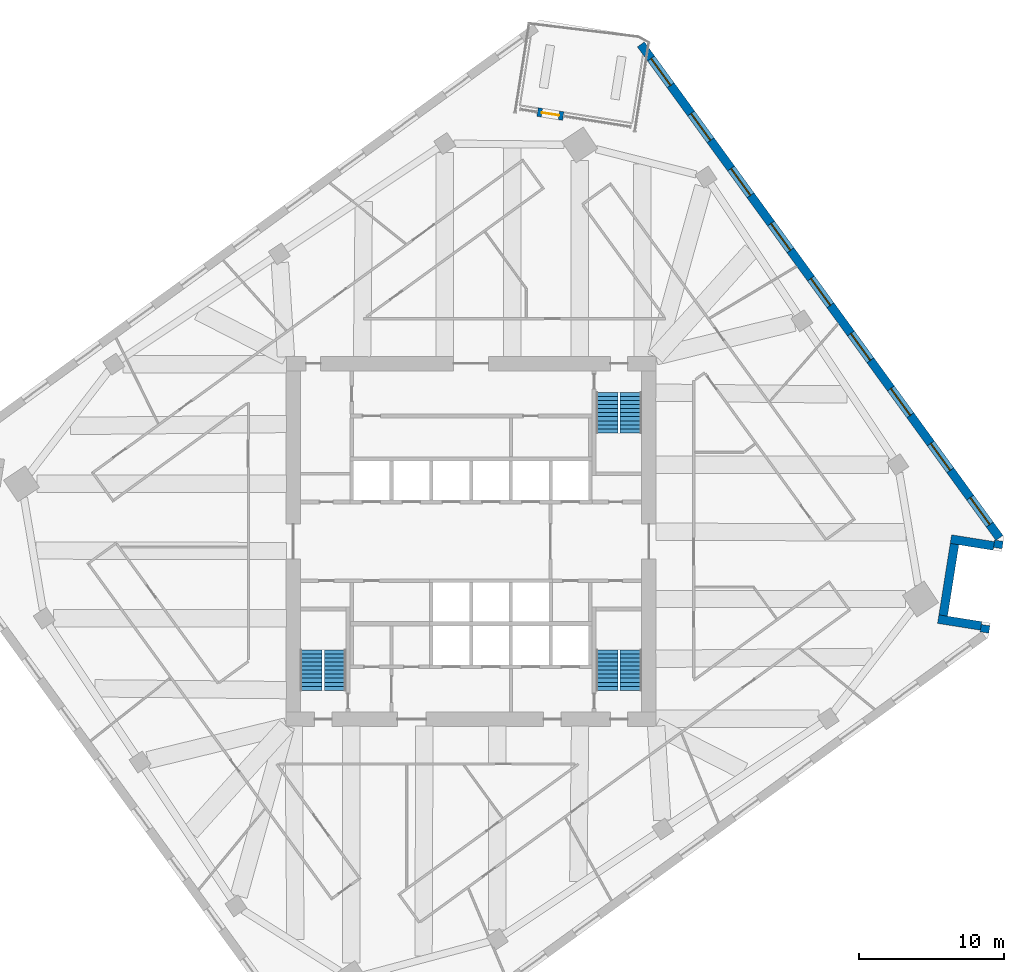
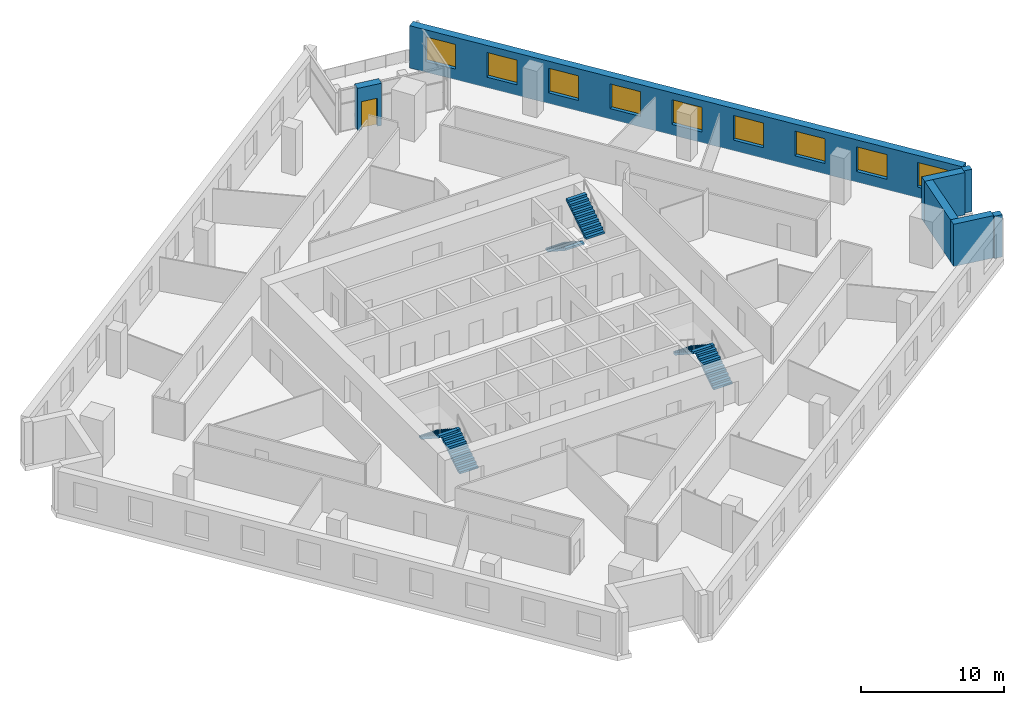
# One storey, part 9 of 11: 9 windows, 7 walls, 6 stair flights, 1 door, 10 openings, 3 elements without a shape of their own.
"""IFC4 building model written with IfcOpenShell, lengths in metres."""

from ifc_helpers import new_model, si_unit, direction, frame, frame_2d, origin, place, context, subcontext, project, spatial, polyline, rectangle, outline, extrude, material, layer, layer_set, type_object, element, fill, aggregate, save


model = new_model("IFC4")

# Units and contexts
model_context = context("Model", 3, precision=1e-05, world=origin(), true_north=direction((0.0, 1.0)))
body_context = subcontext(model_context, "Body", "Model", "MODEL_VIEW")
ifc_project = project(units=[si_unit("LENGTHUNIT", "METRE"), si_unit("AREAUNIT", "SQUARE_METRE"), si_unit("VOLUMEUNIT", "CUBIC_METRE"), si_unit("PLANEANGLEUNIT", "RADIAN"), si_unit("MASSUNIT", "GRAM", prefix="KILO")], contexts=[model_context])

# Site, building, storey
site_placement = place(None, origin())
site = spatial("IfcSite", under=ifc_project, at=site_placement, CompositionType="ELEMENT")
building_placement = place(site_placement, origin())
building = spatial("IfcBuilding", under=site, at=building_placement, Name="Dilmun Exchange Tower", CompositionType="ELEMENT")
storey_placement = place(building_placement, frame((0.0, 0.0, 167.699951171875)))
storey = spatial("IfcBuildingStorey", under=building, at=storey_placement, Name="L39", CompositionType="ELEMENT", Elevation=167.699951171875)

# Walls
ifc_material_1 = material(Name="Precast concrete C50/60", Category="concrete")
ifc_layer = layer(ifc_material_1, 0.60009765625)
ifc_layer_set = layer_set([ifc_layer], Name="Precast concrete C50/60")
wall_type = type_object("IfcWallType", Name="Precast stone-clad wall 600", PredefinedType="STANDARD", material=ifc_layer_set)
wall_1_placement = place(storey_placement, frame((35.497314453125, -6.296142578125, 0.0), z_axis=(0.0, 0.0, 1.0), x_axis=(0.156649231492, 0.987654300994, 0.0)))
element("IfcWall", 1, at=wall_1_placement, inside=storey, type_object=wall_type, Name="Facade wall L39-16", PredefinedType="STANDARD", context=body_context, shape_type="SweptSolid", body=[
    extrude(rectangle(XDim=0.51123046875, YDim=0.60009765625, at=frame_2d((0.255615234375, 0.0))), origin(), (0.0, 0.0, 1.0), 3.60009765625),
])
wall_2_placement = place(storey_placement, frame((35.265380859375, -5.843017578125, 0.0), z_axis=(0.0, 0.0, 1.0), x_axis=(-0.987692262674, 0.156409699997, 0.0)))
element("IfcWall", 2, at=wall_2_placement, inside=storey, type_object=wall_type, Name="Facade wall L39-17", PredefinedType="STANDARD", context=body_context, shape_type="SweptSolid", body=[
    extrude(rectangle(XDim=3.0, YDim=0.60009765625, at=frame_2d((1.5, 0.0))), origin(), (0.0, 0.0, 1.0), 3.60009765625),
])
wall_3_placement = place(storey_placement, frame((32.6455078125, -5.12451171875, 0.0), z_axis=(0.0, 0.0, 1.0), x_axis=(0.156443969736, 0.987686835152, 0.0)))
element("IfcWall", 3, at=wall_3_placement, inside=storey, type_object=wall_type, Name="Facade wall L39-18", PredefinedType="STANDARD", context=body_context, shape_type="SweptSolid", body=[
    extrude(rectangle(XDim=5.0, YDim=0.60009765625, at=frame_2d((2.5, 0.0))), origin(), (0.0, 0.0, 1.0), 3.60009765625),
])
wall_4_placement = place(storey_placement, frame((33.178466796875, 0.1572265625, 0.0), z_axis=(0.0, 0.0, 1.0), x_axis=(0.987690271588, -0.156422272742, 0.0)))
element("IfcWall", 4, at=wall_4_placement, inside=storey, type_object=wall_type, Name="Facade wall L39-19", PredefinedType="STANDARD", context=body_context, shape_type="SweptSolid", body=[
    extrude(rectangle(XDim=2.999755859375, YDim=0.60009765625, at=frame_2d((1.5, 0.0))), origin(), (0.0, 0.0, 1.0), 3.60009765625),
])
wall_5_placement = place(storey_placement, frame((36.422119140625, -0.457763671875, 0.0), z_axis=(0.0, 0.0, 1.0), x_axis=(0.156575375554, 0.987666012258, 0.0)))
element("IfcWall", 5, at=wall_5_placement, inside=storey, type_object=wall_type, Name="Facade wall L39-20", PredefinedType="STANDARD", context=body_context, shape_type="SweptSolid", body=[
    extrude(rectangle(XDim=0.511474609375, YDim=0.60009765625, at=frame_2d((0.255859375, 0.0))), origin(), (0.0, 0.0, 1.0), 3.60009765625),
])

# Wall, openings, windows
wall_6_placement = place(storey_placement, frame((36.533447265625, 0.244873046875, 0.0), z_axis=(0.0, 0.0, 1.0), x_axis=(-0.58778579343, 0.809016601215, 0.0)))
wall_6 = element("IfcWall", 6, at=wall_6_placement, inside=storey, type_object=wall_type, Name="Facade wall L39-21", PredefinedType="STANDARD", context=body_context, shape_type="SweptSolid", body=[
    extrude(rectangle(XDim=42.17578125, YDim=0.60009765625, at=frame_2d((21.087890625, 0.0))), origin(), (0.0, 0.0, 1.0), 3.60009765625),
])
opening_1_placement = place(wall_6_placement, frame((1.137939453125, 0.0, 0.89990234375)))
opening_1 = element("IfcOpeningElement", 7, at=opening_1_placement, cuts=wall_6, Name="Opening W230-210", PredefinedType="OPENING", context=body_context, shape_type="SweptSolid", body=[
    extrude(rectangle(XDim=2.300048828125, YDim=2.10009765625, at=frame_2d((1.14990234375, 1.050048828125))), frame((0.0, 0.31005859375, 0.0), z_axis=(0.0, -1.0, 0.0), x_axis=(1.0, 0.0, 0.0)), (0.0, 0.0, 1.0), 0.6201171875),
])
opening_2_placement = place(wall_6_placement, frame((5.775634765625, 0.0, 0.89990234375)))
opening_2 = element("IfcOpeningElement", 8, at=opening_2_placement, cuts=wall_6, Name="Opening W230-210", PredefinedType="OPENING", context=body_context, shape_type="SweptSolid", body=[
    extrude(rectangle(XDim=2.300048828125, YDim=2.10009765625, at=frame_2d((1.14990234375, 1.050048828125))), frame((0.0, 0.31005859375, 0.0), z_axis=(0.0, -1.0, 0.0), x_axis=(1.0, 0.0, 0.0)), (0.0, 0.0, 1.0), 0.6201171875),
])
opening_3_placement = place(wall_6_placement, frame((10.4755859375, 0.0, 0.89990234375)))
opening_3 = element("IfcOpeningElement", 9, at=opening_3_placement, cuts=wall_6, Name="Opening W230-210", PredefinedType="OPENING", context=body_context, shape_type="SweptSolid", body=[
    extrude(rectangle(XDim=2.300048828125, YDim=2.10009765625, at=frame_2d((1.14990234375, 1.050048828125))), frame((0.0, 0.31005859375, 0.0), z_axis=(0.0, -1.0, 0.0), x_axis=(1.0, 0.0, 0.0)), (0.0, 0.0, 1.0), 0.6201171875),
])
opening_4_placement = place(wall_6_placement, frame((15.17578125, 0.0, 0.89990234375)))
opening_4 = element("IfcOpeningElement", 10, at=opening_4_placement, cuts=wall_6, Name="Opening W230-210", PredefinedType="OPENING", context=body_context, shape_type="SweptSolid", body=[
    extrude(rectangle(XDim=2.300048828125, YDim=2.10009765625, at=frame_2d((1.14990234375, 1.050048828125))), frame((0.0, 0.31005859375, 0.0), z_axis=(0.0, -1.0, 0.0), x_axis=(1.0, 0.0, 0.0)), (0.0, 0.0, 1.0), 0.6201171875),
])
opening_5_placement = place(wall_6_placement, frame((19.875732421875, 0.0, 0.89990234375)))
opening_5 = element("IfcOpeningElement", 11, at=opening_5_placement, cuts=wall_6, Name="Opening W230-210", PredefinedType="OPENING", context=body_context, shape_type="SweptSolid", body=[
    extrude(rectangle(XDim=2.300048828125, YDim=2.10009765625, at=frame_2d((1.14990234375, 1.050048828125))), frame((0.0, 0.31005859375, 0.0), z_axis=(0.0, -1.0, 0.0), x_axis=(1.0, 0.0, 0.0)), (0.0, 0.0, 1.0), 0.6201171875),
])
opening_6_placement = place(wall_6_placement, frame((24.57568359375, 0.0, 0.89990234375)))
opening_6 = element("IfcOpeningElement", 12, at=opening_6_placement, cuts=wall_6, Name="Opening W230-210", PredefinedType="OPENING", context=body_context, shape_type="SweptSolid", body=[
    extrude(rectangle(XDim=2.300048828125, YDim=2.10009765625, at=frame_2d((1.14990234375, 1.050048828125))), frame((0.0, 0.31005859375, 0.0), z_axis=(0.0, -1.0, 0.0), x_axis=(1.0, 0.0, 0.0)), (0.0, 0.0, 1.0), 0.6201171875),
])
opening_7_placement = place(wall_6_placement, frame((29.275634765625, 0.0, 0.89990234375)))
opening_7 = element("IfcOpeningElement", 13, at=opening_7_placement, cuts=wall_6, Name="Opening W230-210", PredefinedType="OPENING", context=body_context, shape_type="SweptSolid", body=[
    extrude(rectangle(XDim=2.300048828125, YDim=2.10009765625, at=frame_2d((1.14990234375, 1.050048828125))), frame((0.0, 0.31005859375, 0.0), z_axis=(0.0, -1.0, 0.0), x_axis=(1.0, 0.0, 0.0)), (0.0, 0.0, 1.0), 0.6201171875),
])
opening_8_placement = place(wall_6_placement, frame((33.9755859375, 0.0, 0.89990234375)))
opening_8 = element("IfcOpeningElement", 14, at=opening_8_placement, cuts=wall_6, Name="Opening W230-210", PredefinedType="OPENING", context=body_context, shape_type="SweptSolid", body=[
    extrude(rectangle(XDim=2.300048828125, YDim=2.10009765625, at=frame_2d((1.14990234375, 1.050048828125))), frame((0.0, 0.31005859375, 0.0), z_axis=(0.0, -1.0, 0.0), x_axis=(1.0, 0.0, 0.0)), (0.0, 0.0, 1.0), 0.6201171875),
])
opening_9_placement = place(wall_6_placement, frame((38.67578125, 0.0, 0.89990234375)))
opening_9 = element("IfcOpeningElement", 15, at=opening_9_placement, cuts=wall_6, Name="Opening W230-210", PredefinedType="OPENING", context=body_context, shape_type="SweptSolid", body=[
    extrude(rectangle(XDim=2.300048828125, YDim=2.10009765625, at=frame_2d((1.14990234375, 1.050048828125))), frame((0.0, 0.31005859375, 0.0), z_axis=(0.0, -1.0, 0.0), x_axis=(1.0, 0.0, 0.0)), (0.0, 0.0, 1.0), 0.6201171875),
])
ifc_material_2 = material(Name="Clear low-emissivity glass in aluminium frame", Category="aluminium")
window_type = type_object("IfcWindowType", Name="Punched window 2300 x 2100", PartitioningType="DOUBLE_PANEL_VERTICAL", PredefinedType="WINDOW", material=ifc_material_2)
window_1_placement = place(opening_1_placement, origin())
window_1 = element("IfcWindow", 16, at=window_1_placement, inside=storey, type_object=window_type, Name="Window 22.1", OverallHeight=2.10009765625, OverallWidth=2.300048828125, PartitioningType="SINGLE_PANEL", PredefinedType="WINDOW", context=body_context, shape_type="SweptSolid", body=[
    extrude(rectangle(XDim=2.300048828125, YDim=2.10009765625, at=frame_2d((1.14990234375, 1.050048828125))), frame((0.0, 0.030029296875, 0.0), z_axis=(0.0, -1.0, 0.0), x_axis=(1.0, 0.0, 0.0)), (0.0, 0.0, 1.0), 0.06005859375),
])
fill(opening_1, window_1)
window_2_placement = place(opening_2_placement, origin())
window_2 = element("IfcWindow", 17, at=window_2_placement, inside=storey, type_object=window_type, Name="Window 22.2", OverallHeight=2.10009765625, OverallWidth=2.300048828125, PartitioningType="SINGLE_PANEL", PredefinedType="WINDOW", context=body_context, shape_type="SweptSolid", body=[
    extrude(rectangle(XDim=2.300048828125, YDim=2.10009765625, at=frame_2d((1.14990234375, 1.050048828125))), frame((0.0, 0.030029296875, 0.0), z_axis=(0.0, -1.0, 0.0), x_axis=(1.0, 0.0, 0.0)), (0.0, 0.0, 1.0), 0.06005859375),
])
fill(opening_2, window_2)
window_3_placement = place(opening_3_placement, origin())
window_3 = element("IfcWindow", 18, at=window_3_placement, inside=storey, type_object=window_type, Name="Window 22.3", OverallHeight=2.10009765625, OverallWidth=2.300048828125, PartitioningType="SINGLE_PANEL", PredefinedType="WINDOW", context=body_context, shape_type="SweptSolid", body=[
    extrude(rectangle(XDim=2.300048828125, YDim=2.10009765625, at=frame_2d((1.14990234375, 1.050048828125))), frame((0.0, 0.030029296875, 0.0), z_axis=(0.0, -1.0, 0.0), x_axis=(1.0, 0.0, 0.0)), (0.0, 0.0, 1.0), 0.06005859375),
])
fill(opening_3, window_3)
window_4_placement = place(opening_4_placement, origin())
window_4 = element("IfcWindow", 19, at=window_4_placement, inside=storey, type_object=window_type, Name="Window 22.4", OverallHeight=2.10009765625, OverallWidth=2.300048828125, PartitioningType="SINGLE_PANEL", PredefinedType="WINDOW", context=body_context, shape_type="SweptSolid", body=[
    extrude(rectangle(XDim=2.300048828125, YDim=2.10009765625, at=frame_2d((1.14990234375, 1.050048828125))), frame((0.0, 0.030029296875, 0.0), z_axis=(0.0, -1.0, 0.0), x_axis=(1.0, 0.0, 0.0)), (0.0, 0.0, 1.0), 0.06005859375),
])
fill(opening_4, window_4)
window_5_placement = place(opening_5_placement, origin())
window_5 = element("IfcWindow", 20, at=window_5_placement, inside=storey, type_object=window_type, Name="Window 22.5", OverallHeight=2.10009765625, OverallWidth=2.300048828125, PartitioningType="SINGLE_PANEL", PredefinedType="WINDOW", context=body_context, shape_type="SweptSolid", body=[
    extrude(rectangle(XDim=2.300048828125, YDim=2.10009765625, at=frame_2d((1.14990234375, 1.050048828125))), frame((0.0, 0.030029296875, 0.0), z_axis=(0.0, -1.0, 0.0), x_axis=(1.0, 0.0, 0.0)), (0.0, 0.0, 1.0), 0.06005859375),
])
fill(opening_5, window_5)
window_6_placement = place(opening_6_placement, origin())
window_6 = element("IfcWindow", 21, at=window_6_placement, inside=storey, type_object=window_type, Name="Window 22.6", OverallHeight=2.10009765625, OverallWidth=2.300048828125, PartitioningType="SINGLE_PANEL", PredefinedType="WINDOW", context=body_context, shape_type="SweptSolid", body=[
    extrude(rectangle(XDim=2.300048828125, YDim=2.10009765625, at=frame_2d((1.14990234375, 1.050048828125))), frame((0.0, 0.030029296875, 0.0), z_axis=(0.0, -1.0, 0.0), x_axis=(1.0, 0.0, 0.0)), (0.0, 0.0, 1.0), 0.06005859375),
])
fill(opening_6, window_6)
window_7_placement = place(opening_7_placement, origin())
window_7 = element("IfcWindow", 22, at=window_7_placement, inside=storey, type_object=window_type, Name="Window 22.7", OverallHeight=2.10009765625, OverallWidth=2.300048828125, PartitioningType="SINGLE_PANEL", PredefinedType="WINDOW", context=body_context, shape_type="SweptSolid", body=[
    extrude(rectangle(XDim=2.300048828125, YDim=2.10009765625, at=frame_2d((1.14990234375, 1.050048828125))), frame((0.0, 0.030029296875, 0.0), z_axis=(0.0, -1.0, 0.0), x_axis=(1.0, 0.0, 0.0)), (0.0, 0.0, 1.0), 0.06005859375),
])
fill(opening_7, window_7)
window_8_placement = place(opening_8_placement, origin())
window_8 = element("IfcWindow", 23, at=window_8_placement, inside=storey, type_object=window_type, Name="Window 22.8", OverallHeight=2.10009765625, OverallWidth=2.300048828125, PartitioningType="SINGLE_PANEL", PredefinedType="WINDOW", context=body_context, shape_type="SweptSolid", body=[
    extrude(rectangle(XDim=2.300048828125, YDim=2.10009765625, at=frame_2d((1.14990234375, 1.050048828125))), frame((0.0, 0.030029296875, 0.0), z_axis=(0.0, -1.0, 0.0), x_axis=(1.0, 0.0, 0.0)), (0.0, 0.0, 1.0), 0.06005859375),
])
fill(opening_8, window_8)
window_9_placement = place(opening_9_placement, origin())
window_9 = element("IfcWindow", 24, at=window_9_placement, inside=storey, type_object=window_type, Name="Window 22.9", OverallHeight=2.10009765625, OverallWidth=2.300048828125, PartitioningType="SINGLE_PANEL", PredefinedType="WINDOW", context=body_context, shape_type="SweptSolid", body=[
    extrude(rectangle(XDim=2.300048828125, YDim=2.10009765625, at=frame_2d((1.14990234375, 1.050048828125))), frame((0.0, 0.030029296875, 0.0), z_axis=(0.0, -1.0, 0.0), x_axis=(1.0, 0.0, 0.0)), (0.0, 0.0, 1.0), 0.06005859375),
])
fill(opening_9, window_9)

# Wall, opening, door
wall_7_placement = place(storey_placement, frame((6.374755859375, 29.41015625, 0.0), z_axis=(0.0, 0.0, 1.0), x_axis=(-0.9876957895, 0.156387427258, 0.0)))
wall_7 = element("IfcWall", 25, at=wall_7_placement, inside=storey, type_object=wall_type, Name="Facade wall L39-01-D", PredefinedType="STANDARD", context=body_context, shape_type="SweptSolid", body=[
    extrude(rectangle(XDim=1.800048828125, YDim=0.60009765625, at=frame_2d((0.89990234375, 0.0))), origin(), (0.0, 0.0, 1.0), 3.60009765625),
])
opening_10_placement = place(wall_7_placement, frame((0.300048828125, 0.0, 0.0)))
opening_10 = element("IfcOpeningElement", 26, at=opening_10_placement, cuts=wall_7, Name="Opening GD-1", PredefinedType="OPENING", context=body_context, shape_type="SweptSolid", body=[
    extrude(rectangle(XDim=1.199951171875, YDim=2.39990234375, at=frame_2d((0.60009765625, 1.199951171875))), frame((0.0, 0.31005859375, 0.0), z_axis=(0.0, -1.0, 0.0), x_axis=(1.0, 0.0, 0.0)), (0.0, 0.0, 1.0), 0.6201171875),
])
door_type = type_object("IfcDoorType", Name="Glazed garden door 1200 x 2400", OperationType="SINGLE_SWING_LEFT", PredefinedType="DOOR", material=ifc_material_2)
door_placement = place(opening_10_placement, origin())
door = element("IfcDoor", 27, at=door_placement, inside=storey, type_object=door_type, Name="Garden terrace door", OperationType="SINGLE_SWING_LEFT", OverallHeight=2.39990234375, OverallWidth=1.199951171875, PredefinedType="DOOR", context=body_context, shape_type="SweptSolid", body=[
    extrude(rectangle(XDim=1.199951171875, YDim=2.39990234375, at=frame_2d((0.60009765625, 1.199951171875))), frame((0.0, 0.02490234375, 0.0), z_axis=(0.0, -1.0, 0.0), x_axis=(1.0, 0.0, 0.0)), (0.0, 0.0, 1.0), 0.050048828125),
])
fill(opening_10, door)

# Stair, stair flights
ifc_material_3 = material(Name="Concrete C40/50", Category="concrete")
stair_type = type_object("IfcStairType", Name="Exit stair 1500 half-turn", PredefinedType="HALF_TURN_STAIR", material=ifc_material_3)
stair_1_placement = place(storey_placement, origin())
stair_1 = element("IfcStair", 28, at=stair_1_placement, inside=storey, type_object=stair_type, Name="L39 Protected exit stair ST1", PredefinedType="HALF_TURN_STAIR")
stair_flight_type = type_object("IfcStairFlightType", Name="Exit stair flight 1500", PredefinedType="STRAIGHT", material=ifc_material_3)
stair_flight_1_placement = place(storey_placement, frame((9.39990234375, 10.300048828125, 0.0), z_axis=(0.0, 0.0, 1.0), x_axis=(0.0, -1.0, 0.0)))
stair_flight_1 = element("IfcStairFlight", 29, at=stair_flight_1_placement, type_object=stair_flight_type, Name="ST1 flight 1", NumberOfRisers=11, NumberOfTreads=10, PredefinedType="STRAIGHT", RiserHeight=0.181818182, TreadLength=0.28, context=body_context, shape_type="SweptSolid", body=[
    extrude(outline(polyline([(0.0, 0.0), (0.0, 0.181884765625), (0.280029296875, 0.181884765625), (0.280029296875, 0.363525390625), (0.56005859375, 0.363525390625), (0.56005859375, 0.54541015625), (0.840087890625, 0.54541015625), (0.840087890625, 0.727294921875), (1.1201171875, 0.727294921875), (1.1201171875, 0.9091796875), (1.39990234375, 0.9091796875), (1.39990234375, 1.0908203125), (1.679931640625, 1.0908203125), (1.679931640625, 1.272705078125), (1.9599609375, 1.272705078125), (1.9599609375, 1.45458984375), (2.239990234375, 1.45458984375), (2.239990234375, 1.636474609375), (2.52001953125, 1.636474609375), (2.52001953125, 1.818115234375), (2.800048828125, 1.818115234375), (2.800048828125, 2.0), (2.800048828125, 1.639404296875), (0.275146484375, 0.0), (0.0, 0.0)])), frame((0.0, 0.75, 0.0), z_axis=(0.0, -1.0, 0.0), x_axis=(1.0, 0.0, 0.0)), (0.0, 0.0, 1.0), 1.5),
])
stair_flight_2_placement = place(storey_placement, frame((11.050048828125, 7.5, 2.0), z_axis=(0.0, 0.0, 1.0), x_axis=(0.0, 1.0, 0.0)))
stair_flight_2 = element("IfcStairFlight", 30, at=stair_flight_2_placement, type_object=stair_flight_type, Name="ST1 flight 2", NumberOfRisers=11, NumberOfTreads=10, PredefinedType="STRAIGHT", RiserHeight=0.181818182, TreadLength=0.28, context=body_context, shape_type="SweptSolid", body=[
    extrude(outline(polyline([(0.0, 0.0), (0.0, 0.181884765625), (0.280029296875, 0.181884765625), (0.280029296875, 0.363525390625), (0.56005859375, 0.363525390625), (0.56005859375, 0.54541015625), (0.840087890625, 0.54541015625), (0.840087890625, 0.727294921875), (1.1201171875, 0.727294921875), (1.1201171875, 0.9091796875), (1.39990234375, 0.9091796875), (1.39990234375, 1.0908203125), (1.679931640625, 1.0908203125), (1.679931640625, 1.272705078125), (1.9599609375, 1.272705078125), (1.9599609375, 1.45458984375), (2.239990234375, 1.45458984375), (2.239990234375, 1.636474609375), (2.52001953125, 1.636474609375), (2.52001953125, 1.818115234375), (2.800048828125, 1.818115234375), (2.800048828125, 2.0), (2.800048828125, 1.639404296875), (0.275146484375, 0.0), (0.0, 0.0)])), frame((0.0, 0.75, 0.0), z_axis=(0.0, -1.0, 0.0), x_axis=(1.0, 0.0, 0.0)), (0.0, 0.0, 1.0), 1.5),
])
aggregate(stair_1, [stair_flight_1, stair_flight_2])

stair_2_placement = place(storey_placement, origin())
stair_2 = element("IfcStair", 31, at=stair_2_placement, inside=storey, type_object=stair_type, Name="L39 Protected exit stair ST2", PredefinedType="HALF_TURN_STAIR")
stair_flight_3_placement = place(storey_placement, frame((-9.39990234375, -10.300048828125, 0.0), z_axis=(0.0, 0.0, 1.0), x_axis=(0.0, 1.0, 0.0)))
stair_flight_3 = element("IfcStairFlight", 32, at=stair_flight_3_placement, type_object=stair_flight_type, Name="ST2 flight 1", NumberOfRisers=11, NumberOfTreads=10, PredefinedType="STRAIGHT", RiserHeight=0.181818182, TreadLength=0.28, context=body_context, shape_type="SweptSolid", body=[
    extrude(outline(polyline([(0.0, 0.0), (0.0, 0.181884765625), (0.280029296875, 0.181884765625), (0.280029296875, 0.363525390625), (0.56005859375, 0.363525390625), (0.56005859375, 0.54541015625), (0.840087890625, 0.54541015625), (0.840087890625, 0.727294921875), (1.1201171875, 0.727294921875), (1.1201171875, 0.9091796875), (1.39990234375, 0.9091796875), (1.39990234375, 1.0908203125), (1.679931640625, 1.0908203125), (1.679931640625, 1.272705078125), (1.9599609375, 1.272705078125), (1.9599609375, 1.45458984375), (2.239990234375, 1.45458984375), (2.239990234375, 1.636474609375), (2.52001953125, 1.636474609375), (2.52001953125, 1.818115234375), (2.800048828125, 1.818115234375), (2.800048828125, 2.0), (2.800048828125, 1.639404296875), (0.275146484375, 0.0), (0.0, 0.0)])), frame((0.0, 0.75, 0.0), z_axis=(0.0, -1.0, 0.0), x_axis=(1.0, 0.0, 0.0)), (0.0, 0.0, 1.0), 1.5),
])
stair_flight_4_placement = place(storey_placement, frame((-11.050048828125, -7.5, 2.0), z_axis=(0.0, 0.0, 1.0), x_axis=(0.0, -1.0, 0.0)))
stair_flight_4 = element("IfcStairFlight", 33, at=stair_flight_4_placement, type_object=stair_flight_type, Name="ST2 flight 2", NumberOfRisers=11, NumberOfTreads=10, PredefinedType="STRAIGHT", RiserHeight=0.181818182, TreadLength=0.28, context=body_context, shape_type="SweptSolid", body=[
    extrude(outline(polyline([(0.0, 0.0), (0.0, 0.181884765625), (0.280029296875, 0.181884765625), (0.280029296875, 0.363525390625), (0.56005859375, 0.363525390625), (0.56005859375, 0.54541015625), (0.840087890625, 0.54541015625), (0.840087890625, 0.727294921875), (1.1201171875, 0.727294921875), (1.1201171875, 0.9091796875), (1.39990234375, 0.9091796875), (1.39990234375, 1.0908203125), (1.679931640625, 1.0908203125), (1.679931640625, 1.272705078125), (1.9599609375, 1.272705078125), (1.9599609375, 1.45458984375), (2.239990234375, 1.45458984375), (2.239990234375, 1.636474609375), (2.52001953125, 1.636474609375), (2.52001953125, 1.818115234375), (2.800048828125, 1.818115234375), (2.800048828125, 2.0), (2.800048828125, 1.639404296875), (0.275146484375, 0.0), (0.0, 0.0)])), frame((0.0, 0.75, 0.0), z_axis=(0.0, -1.0, 0.0), x_axis=(1.0, 0.0, 0.0)), (0.0, 0.0, 1.0), 1.5),
])
aggregate(stair_2, [stair_flight_3, stair_flight_4])

stair_3_placement = place(storey_placement, origin())
stair_3 = element("IfcStair", 34, at=stair_3_placement, inside=storey, type_object=stair_type, Name="L39 Protected exit stair ST3", PredefinedType="HALF_TURN_STAIR")
stair_flight_5_placement = place(storey_placement, frame((11.050048828125, -10.300048828125, 0.0), z_axis=(0.0, 0.0, 1.0), x_axis=(0.0, 1.0, 0.0)))
stair_flight_5 = element("IfcStairFlight", 35, at=stair_flight_5_placement, type_object=stair_flight_type, Name="ST3 flight 1", NumberOfRisers=11, NumberOfTreads=10, PredefinedType="STRAIGHT", RiserHeight=0.181818182, TreadLength=0.28, context=body_context, shape_type="SweptSolid", body=[
    extrude(outline(polyline([(0.0, 0.0), (0.0, 0.181884765625), (0.280029296875, 0.181884765625), (0.280029296875, 0.363525390625), (0.56005859375, 0.363525390625), (0.56005859375, 0.54541015625), (0.840087890625, 0.54541015625), (0.840087890625, 0.727294921875), (1.1201171875, 0.727294921875), (1.1201171875, 0.9091796875), (1.39990234375, 0.9091796875), (1.39990234375, 1.0908203125), (1.679931640625, 1.0908203125), (1.679931640625, 1.272705078125), (1.9599609375, 1.272705078125), (1.9599609375, 1.45458984375), (2.239990234375, 1.45458984375), (2.239990234375, 1.636474609375), (2.52001953125, 1.636474609375), (2.52001953125, 1.818115234375), (2.800048828125, 1.818115234375), (2.800048828125, 2.0), (2.800048828125, 1.639404296875), (0.275146484375, 0.0), (0.0, 0.0)])), frame((0.0, 0.75, 0.0), z_axis=(0.0, -1.0, 0.0), x_axis=(1.0, 0.0, 0.0)), (0.0, 0.0, 1.0), 1.5),
])
stair_flight_6_placement = place(storey_placement, frame((9.39990234375, -7.5, 2.0), z_axis=(0.0, 0.0, 1.0), x_axis=(0.0, -1.0, 0.0)))
stair_flight_6 = element("IfcStairFlight", 36, at=stair_flight_6_placement, type_object=stair_flight_type, Name="ST3 flight 2", NumberOfRisers=11, NumberOfTreads=10, PredefinedType="STRAIGHT", RiserHeight=0.181818182, TreadLength=0.28, context=body_context, shape_type="SweptSolid", body=[
    extrude(outline(polyline([(0.0, 0.0), (0.0, 0.181884765625), (0.280029296875, 0.181884765625), (0.280029296875, 0.363525390625), (0.56005859375, 0.363525390625), (0.56005859375, 0.54541015625), (0.840087890625, 0.54541015625), (0.840087890625, 0.727294921875), (1.1201171875, 0.727294921875), (1.1201171875, 0.9091796875), (1.39990234375, 0.9091796875), (1.39990234375, 1.0908203125), (1.679931640625, 1.0908203125), (1.679931640625, 1.272705078125), (1.9599609375, 1.272705078125), (1.9599609375, 1.45458984375), (2.239990234375, 1.45458984375), (2.239990234375, 1.636474609375), (2.52001953125, 1.636474609375), (2.52001953125, 1.818115234375), (2.800048828125, 1.818115234375), (2.800048828125, 2.0), (2.800048828125, 1.639404296875), (0.275146484375, 0.0), (0.0, 0.0)])), frame((0.0, 0.75, 0.0), z_axis=(0.0, -1.0, 0.0), x_axis=(1.0, 0.0, 0.0)), (0.0, 0.0, 1.0), 1.5),
])
aggregate(stair_3, [stair_flight_5, stair_flight_6])

save(model, "model.ifc")
